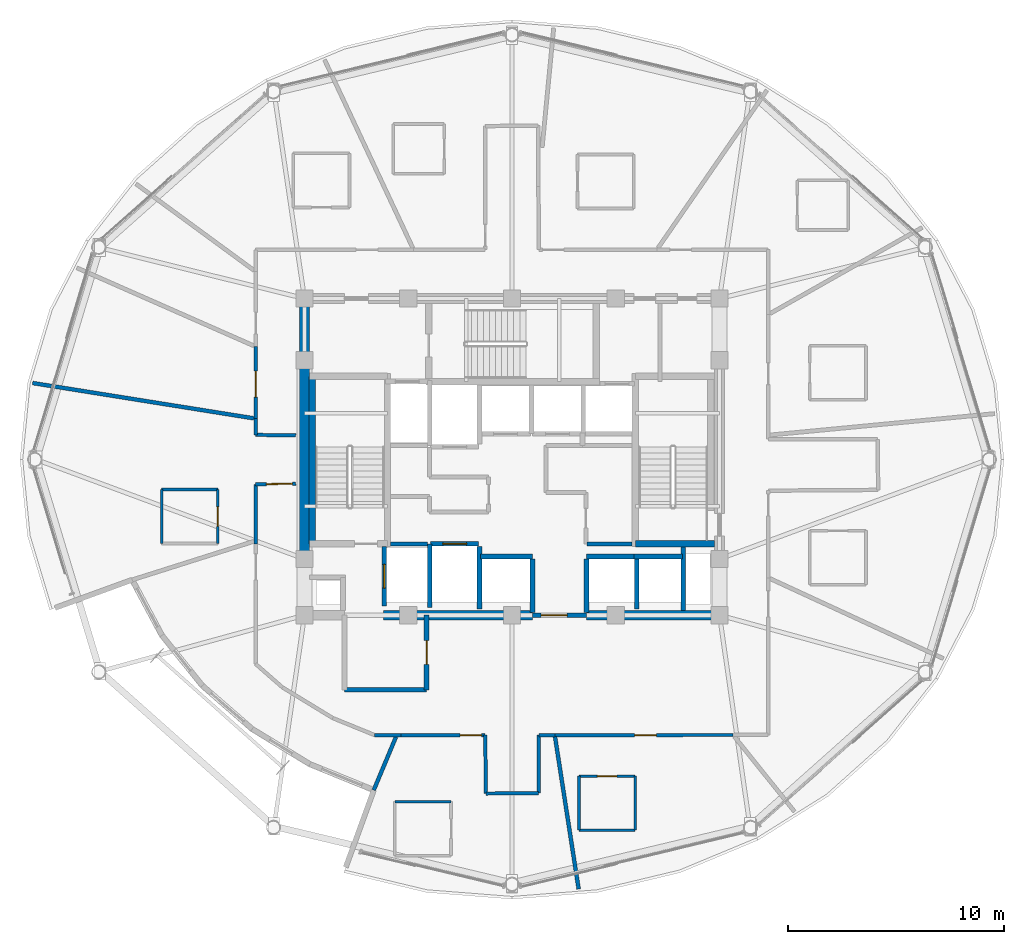
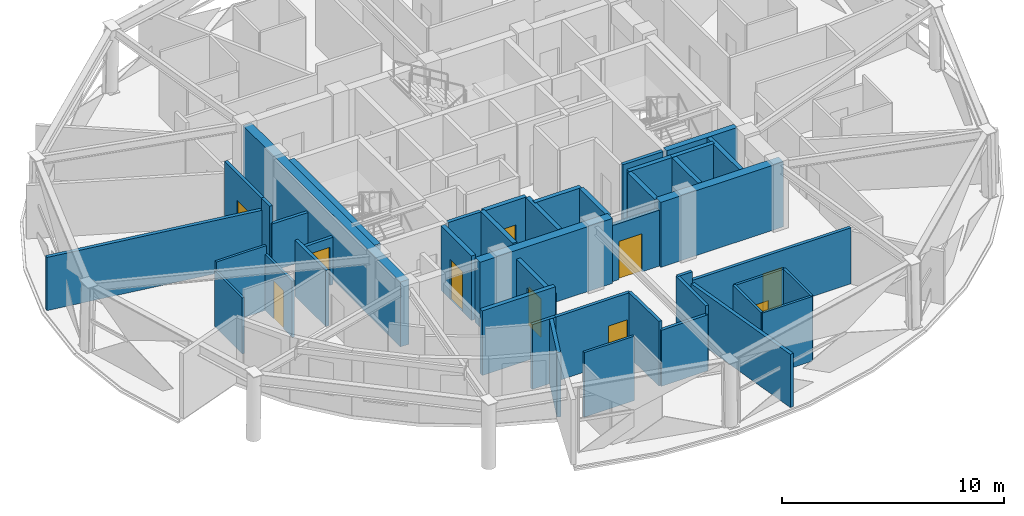
# One storey, part 11 of 18: 44 walls, 10 doors, 10 openings.
"""IFC4 building model written with IfcOpenShell, lengths in metres."""

from ifc_helpers import new_model, si_unit, direction, frame, frame_2d, origin, place, context, subcontext, project, spatial, rectangle, extrude, material, layer, layer_set, type_object, element, fill, save


model = new_model("IFC4")

# Units and contexts
model_context = context("Model", 3, precision=1e-05, world=origin(), true_north=direction((0.0, 1.0)))
body_context = subcontext(model_context, "Body", "Model", "MODEL_VIEW")
ifc_project = project(units=[si_unit("LENGTHUNIT", "METRE"), si_unit("AREAUNIT", "SQUARE_METRE"), si_unit("VOLUMEUNIT", "CUBIC_METRE"), si_unit("PLANEANGLEUNIT", "RADIAN"), si_unit("MASSUNIT", "GRAM", prefix="KILO")], contexts=[model_context])

# Site, building, storey
site_placement = place(None, origin())
site = spatial("IfcSite", under=ifc_project, at=site_placement, CompositionType="ELEMENT")
building_placement = place(site_placement, origin())
building = spatial("IfcBuilding", under=site, at=building_placement, Name="Vantalir Tower", CompositionType="ELEMENT")
storey_placement = place(building_placement, frame((0.0, 0.0, 216.14990234375)))
storey = spatial("IfcBuildingStorey", under=building, at=storey_placement, Name="L54", CompositionType="ELEMENT", Elevation=216.14990234375)

# Walls
ifc_material_1 = material(Name="Moisture-resistant en-suite partition", Category="gypsum")
ifc_layer_1 = layer(ifc_material_1, 0.125)
ifc_layer_set_1 = layer_set([ifc_layer_1], Name="Moisture-resistant en-suite partition")
wall_type_1 = type_object("IfcWallType", Name="WL-BATH-125", PredefinedType="PARTITIONING", material=ifc_layer_set_1)
wall_1_placement = place(storey_placement, frame((15.291015625, 23.612060546875, 0.0), z_axis=(0.0, 0.0, 1.0), x_axis=(1.0, 0.0, 0.0)))
element("IfcWall", 1, at=wall_1_placement, inside=storey, type_object=wall_type_1, Name="L54 En-suite 08 North Wall", PredefinedType="PARTITIONING", context=body_context, shape_type="SweptSolid", body=[
    extrude(rectangle(XDim=2.60009765625, YDim=0.125, at=frame_2d((1.300048828125, 0.0))), origin(), (0.0, 0.0, 1.0), 3.550048828125),
])
wall_2_placement = place(storey_placement, frame((15.291015625, 21.112060546875, 0.0), z_axis=(0.0, 0.0, 1.0), x_axis=(0.0, 1.0, 0.0)))
element("IfcWall", 2, at=wall_2_placement, inside=storey, type_object=wall_type_1, Name="L54 En-suite 08 West Wall", PredefinedType="PARTITIONING", context=body_context, shape_type="SweptSolid", body=[
    extrude(rectangle(XDim=2.5, YDim=0.125, at=frame_2d((1.25, 0.0))), origin(), (0.0, 0.0, 1.0), 3.0810546875),
])

# Wall, opening, door
wall_3_placement = place(storey_placement, frame((17.89111328125, 21.112060546875, 0.0), z_axis=(0.0, 0.0, 1.0), x_axis=(0.0, 1.0, 0.0)))
wall_3 = element("IfcWall", 3, at=wall_3_placement, inside=storey, type_object=wall_type_1, Name="L54 En-suite 08 East Wall", PredefinedType="PARTITIONING", context=body_context, shape_type="SweptSolid", body=[
    extrude(rectangle(XDim=2.5, YDim=0.125, at=frame_2d((1.25, 0.0))), origin(), (0.0, 0.0, 1.0), 3.0810546875),
])
opening_1_placement = place(wall_3_placement, frame((0.800048828125, 0.0, 0.0)))
opening_1 = element("IfcOpeningElement", 4, at=opening_1_placement, cuts=wall_3, Name="Opening D-WC", PredefinedType="OPENING", context=body_context, shape_type="SweptSolid", body=[
    extrude(rectangle(XDim=0.89990234375, YDim=2.10009765625, at=frame_2d((0.449951171875, 1.050048828125))), frame((0.0, 0.072509765625, 0.0), z_axis=(0.0, -1.0, 0.0), x_axis=(1.0, 0.0, 0.0)), (0.0, 0.0, 1.0), 0.14501953125),
])
ifc_material_2 = material(Name="Moisture-resistant hardwood door", Category="wood")
door_type_1 = type_object("IfcDoorType", Name="DR-ENSUITE-900", OperationType="NOTDEFINED", PredefinedType="DOOR", material=ifc_material_2)
door_1_placement = place(opening_1_placement, origin())
door_1 = element("IfcDoor", 5, at=door_1_placement, inside=storey, type_object=door_type_1, Name="L54 En-suite 08 Door", OperationType="SINGLE_SWING_LEFT", OverallHeight=2.10009765625, OverallWidth=0.89990234375, PredefinedType="DOOR", context=body_context, shape_type="SweptSolid", body=[
    extrude(rectangle(XDim=0.89990234375, YDim=2.10009765625, at=frame_2d((0.449951171875, 1.050048828125))), frame((0.0, 0.02490234375, 0.0), z_axis=(0.0, -1.0, 0.0), x_axis=(1.0, 0.0, 0.0)), (0.0, 0.0, 1.0), 0.050048828125),
])
fill(opening_1, door_1)

# Walls
for number, where, z_axis, x_axis, name in (
    (6, (26.08203125, 9.1708984375, 0.0), (0.0, 0.0, 1.0), (1.0, 0.0, 0.0), "L54 En-suite 10 North Wall"),
    (7, (34.59912109375, 7.85498046875, 0.0), (0.0, 0.0, 1.0), (1.0, 0.0, 0.0), "L54 En-suite 11 South Wall"),
):
    element("IfcWall", number, at=place(storey_placement, frame(where, z_axis=z_axis, x_axis=x_axis)), inside=storey, type_object=wall_type_1, Name=name, PredefinedType="PARTITIONING", context=body_context, shape_type="SweptSolid", body=[
        extrude(rectangle(XDim=2.599853515625, YDim=0.125, at=frame_2d((1.2998046875, 0.0))), origin(), (0.0, 0.0, 1.0), 3.550048828125),
    ])

# Wall, opening, door
wall_4_placement = place(storey_placement, frame((34.59912109375, 10.35498046875, 0.0), z_axis=(0.0, 0.0, 1.0), x_axis=(1.0, 0.0, 0.0)))
wall_4 = element("IfcWall", 8, at=wall_4_placement, inside=storey, type_object=wall_type_1, Name="L54 En-suite 11 North Wall", PredefinedType="PARTITIONING", context=body_context, shape_type="SweptSolid", body=[
    extrude(rectangle(XDim=2.599853515625, YDim=0.125, at=frame_2d((1.2998046875, 0.0))), origin(), (0.0, 0.0, 1.0), 3.550048828125),
])
opening_2_placement = place(wall_4_placement, frame((0.85009765625, 0.0, 0.0)))
opening_2 = element("IfcOpeningElement", 9, at=opening_2_placement, cuts=wall_4, Name="Opening D-WC", PredefinedType="OPENING", context=body_context, shape_type="SweptSolid", body=[
    extrude(rectangle(XDim=0.89990234375, YDim=2.10009765625, at=frame_2d((0.449951171875, 1.050048828125))), frame((0.0, 0.072509765625, 0.0), z_axis=(0.0, -1.0, 0.0), x_axis=(1.0, 0.0, 0.0)), (0.0, 0.0, 1.0), 0.14501953125),
])
door_2_placement = place(opening_2_placement, frame((0.89990234375, 0.0, 0.0), z_axis=(0.0, 0.0, 1.0), x_axis=(-1.0, 0.0, 0.0)))
door_2 = element("IfcDoor", 10, at=door_2_placement, inside=storey, type_object=door_type_1, Name="L54 En-suite 11 Door", OperationType="SINGLE_SWING_RIGHT", OverallHeight=2.10009765625, OverallWidth=0.89990234375, PredefinedType="DOOR", context=body_context, shape_type="SweptSolid", body=[
    extrude(rectangle(XDim=0.89990234375, YDim=2.10009765625, at=frame_2d((0.449951171875, 1.050048828125))), frame((0.0, 0.02490234375, 0.0), z_axis=(0.0, -1.0, 0.0), x_axis=(1.0, 0.0, 0.0)), (0.0, 0.0, 1.0), 0.050048828125),
])
fill(opening_2, door_2)

# Walls
for number, where, z_axis, x_axis, name in (
    (11, (34.59912109375, 7.85498046875, 0.0), (0.0, 0.0, 1.0), (0.0, 1.0, 0.0), "L54 En-suite 11 West Wall"),
    (12, (37.198974609375, 7.85498046875, 0.0), (0.0, 0.0, 1.0), (0.0, 1.0, 0.0), "L54 En-suite 11 East Wall"),
):
    element("IfcWall", number, at=place(storey_placement, frame(where, z_axis=z_axis, x_axis=x_axis)), inside=storey, type_object=wall_type_1, Name=name, PredefinedType="PARTITIONING", context=body_context, shape_type="SweptSolid", body=[
        extrude(rectangle(XDim=2.5, YDim=0.125, at=frame_2d((1.25, 0.0))), origin(), (0.0, 0.0, 1.0), 3.550048828125),
    ])
ifc_material_3 = material(Name="Concrete C50/60", Category="concrete")
ifc_layer_2 = layer(ifc_material_3, 0.449951171875)
ifc_layer_set_2 = layer_set([ifc_layer_2], Name="Concrete C50/60")
wall_type_2 = type_object("IfcWallType", Name="WL-CORE-450", PredefinedType="SHEAR", material=ifc_layer_set_2)
wall_5_placement = place(storey_placement, frame((25.550048828125, 17.800048828125, 0.0), z_axis=(0.0, 0.0, 1.0), x_axis=(1.0, 0.0, 0.0)))
element("IfcWall", 13, at=wall_5_placement, inside=storey, type_object=wall_type_2, Name="L54 Core Shear Wall South-Mid", PredefinedType="SHEAR", context=body_context, shape_type="SweptSolid", body=[
    extrude(rectangle(XDim=6.89990234375, YDim=0.449951171875, at=frame_2d((3.449951171875, 0.0))), origin(), (0.0, 0.0, 1.0), 3.570068359375),
])
wall_6_placement = place(storey_placement, frame((34.949951171875, 17.800048828125, 0.0), z_axis=(0.0, 0.0, 1.0), x_axis=(1.0, 0.0, 0.0)))
element("IfcWall", 14, at=wall_6_placement, inside=storey, type_object=wall_type_2, Name="L54 Core Shear Wall South-East", PredefinedType="SHEAR", context=body_context, shape_type="SweptSolid", body=[
    extrude(rectangle(XDim=6.375, YDim=0.449951171875, at=frame_2d((3.1875, 0.0))), origin(), (0.0, 0.0, 1.0), 3.570068359375),
])
wall_7_placement = place(storey_placement, frame((21.89990234375, 18.02490234375, 0.0), z_axis=(0.0, 0.0, 1.0), x_axis=(0.0, 1.0, 0.0)))
element("IfcWall", 15, at=wall_7_placement, inside=storey, type_object=wall_type_2, Name="L54 Core Shear Wall West", PredefinedType="SHEAR", context=body_context, shape_type="SweptSolid", body=[
    extrude(rectangle(XDim=14.2001953125, YDim=0.449951171875, at=frame_2d((7.10009765625, 0.0))), origin(), (0.0, 0.0, 1.0), 3.570068359375),
])
ifc_material_4 = material(Name="Fire-rated hotel corridor acoustic partition", Category="gypsum")
ifc_layer_3 = layer(ifc_material_4, 0.159912109375)
ifc_layer_set_3 = layer_set([ifc_layer_3], Name="Fire-rated hotel corridor acoustic partition")
wall_type_3 = type_object("IfcWallType", Name="WL-CORR-160", PredefinedType="PARTITIONING", material=ifc_layer_set_3)
wall_8_placement = place(storey_placement, frame((21.4951171875, 26.116943359375, 0.0), z_axis=(0.0, 0.0, 1.0), x_axis=(-0.999908537082, 0.013524698532, 0.0)))
element("IfcWall", 16, at=wall_8_placement, inside=storey, type_object=wall_type_3, Name="L54 Corridor Partition 01", PredefinedType="PARTITIONING", context=body_context, shape_type="SweptSolid", body=[
    extrude(rectangle(XDim=1.859375, YDim=0.159912109375, at=frame_2d((0.9296875, 0.0))), origin(), (0.0, 0.0, 1.0), 2.59521484375),
])
wall_9_placement = place(storey_placement, frame((19.635986328125, 26.14208984375, 0.0), z_axis=(0.0, 0.0, 1.0), x_axis=(0.0, 1.0, 0.0)))
element("IfcWall", 17, at=wall_9_placement, inside=storey, type_object=wall_type_3, Name="L54 Corridor Partition 02", PredefinedType="PARTITIONING", context=body_context, shape_type="SweptSolid", body=[
    extrude(rectangle(XDim=0.751953125, YDim=0.159912109375, at=frame_2d((0.3759765625, 0.0))), origin(), (0.0, 0.0, 1.0), 3.550048828125),
])

# Wall, opening, door
wall_10_placement = place(storey_placement, frame((19.635986328125, 26.89404296875, 0.0), z_axis=(0.0, 0.0, 1.0), x_axis=(0.001172332137, 0.999999312818, 0.0)))
wall_10 = element("IfcWall", 18, at=wall_10_placement, inside=storey, type_object=wall_type_3, Name="L54 Corridor Partition 03", PredefinedType="PARTITIONING", context=body_context, shape_type="SweptSolid", body=[
    extrude(rectangle(XDim=3.33203125, YDim=0.159912109375, at=frame_2d((1.666015625, 0.0))), origin(), (0.0, 0.0, 1.0), 3.550048828125),
])
opening_3_placement = place(wall_10_placement, frame((0.99609375, 0.0, 0.0)))
opening_3 = element("IfcOpeningElement", 19, at=opening_3_placement, cuts=wall_10, Name="Opening D-STE", PredefinedType="OPENING", context=body_context, shape_type="SweptSolid", body=[
    extrude(rectangle(XDim=1.199951171875, YDim=2.10009765625, at=frame_2d((0.60009765625, 1.050048828125))), frame((0.0, 0.08984375, 0.0), z_axis=(0.0, -1.0, 0.0), x_axis=(1.0, 0.0, 0.0)), (0.0, 0.0, 1.0), 0.179931640625),
])
ifc_material_5 = material(Name="Solid-core teak veneer suite entrance door", Category="wood")
door_type_2 = type_object("IfcDoorType", Name="DR-SUITE-ENTRY-1200", OperationType="NOTDEFINED", PredefinedType="DOOR", material=ifc_material_5)
door_3_placement = place(opening_3_placement, origin())
door_3 = element("IfcDoor", 20, at=door_3_placement, inside=storey, type_object=door_type_2, Name="L54 Club Reading Lounge 07 Door", OperationType="SINGLE_SWING_RIGHT", OverallHeight=2.10009765625, OverallWidth=1.199951171875, PredefinedType="DOOR", context=body_context, shape_type="SweptSolid", body=[
    extrude(rectangle(XDim=1.199951171875, YDim=2.10009765625, at=frame_2d((0.60009765625, 1.050048828125))), frame((0.0, 0.02490234375, 0.0), z_axis=(0.0, -1.0, 0.0), x_axis=(1.0, 0.0, 0.0)), (0.0, 0.0, 1.0), 0.050048828125),
])
fill(opening_3, door_3)

wall_11_placement = place(storey_placement, frame((41.72509765625, 12.258056640625, 0.0), z_axis=(0.0, 0.0, 1.0), x_axis=(-0.999999631405, -0.000858597504, 0.0)))
wall_11 = element("IfcWall", 21, at=wall_11_placement, inside=storey, type_object=wall_type_3, Name="L54 Corridor Partition 22", PredefinedType="PARTITIONING", context=body_context, shape_type="SweptSolid", body=[
    extrude(rectangle(XDim=8.24609375, YDim=0.159912109375, at=frame_2d((4.123046875, 0.0))), origin(), (0.0, 0.0, 1.0), 3.0810546875),
])
opening_4_placement = place(wall_11_placement, frame((3.549072265625, 0.0, 0.0)))
opening_4 = element("IfcOpeningElement", 22, at=opening_4_placement, cuts=wall_11, Name="Opening D-GUEST", PredefinedType="OPENING", context=body_context, shape_type="SweptSolid", body=[
    extrude(rectangle(XDim=1.0, YDim=2.10009765625, at=frame_2d((0.5, 1.050048828125))), frame((0.0, 0.08984375, 0.0), z_axis=(0.0, -1.0, 0.0), x_axis=(1.0, 0.0, 0.0)), (0.0, 0.0, 1.0), 0.179931640625),
])
ifc_material_6 = material(Name="Solid-core teak veneer acoustic fire door", Category="wood")
door_type_3 = type_object("IfcDoorType", Name="DR-GUEST-ENTRY-1000", OperationType="NOTDEFINED", PredefinedType="DOOR", material=ifc_material_6)
door_4_placement = place(opening_4_placement, origin())
door_4 = element("IfcDoor", 23, at=door_4_placement, inside=storey, type_object=door_type_3, Name="L54 Twin Queen Hotel Room 11 Door", OperationType="SINGLE_SWING_RIGHT", OverallHeight=2.10009765625, OverallWidth=1.0, PredefinedType="DOOR", context=body_context, shape_type="SweptSolid", body=[
    extrude(rectangle(XDim=1.0, YDim=2.10009765625, at=frame_2d((0.5, 1.050048828125))), frame((0.0, 0.02490234375, 0.0), z_axis=(0.0, -1.0, 0.0), x_axis=(1.0, 0.0, 0.0)), (0.0, 0.0, 1.0), 0.050048828125),
])
fill(opening_4, door_4)

# Walls
wall_12_placement = place(storey_placement, frame((33.47900390625, 12.2509765625, 0.0), z_axis=(0.0, 0.0, 1.0), x_axis=(-0.999999126899, -0.001321439216, 0.0)))
element("IfcWall", 24, at=wall_12_placement, inside=storey, type_object=wall_type_3, Name="L54 Corridor Partition 23", PredefinedType="PARTITIONING", context=body_context, shape_type="SweptSolid", body=[
    extrude(rectangle(XDim=0.739013671875, YDim=0.159912109375, at=frame_2d((0.36962890625, 0.0))), origin(), (0.0, 0.0, 1.0), 3.550048828125),
])
wall_13_placement = place(storey_placement, frame((32.739990234375, 12.25, 0.0), z_axis=(0.0, 0.0, 1.0), x_axis=(-0.003363005887, -0.99999434508, 0.0)))
element("IfcWall", 25, at=wall_13_placement, inside=storey, type_object=wall_type_3, Name="L54 Corridor Partition 24", PredefinedType="PARTITIONING", context=body_context, shape_type="SweptSolid", body=[
    extrude(rectangle(XDim=2.68603515625, YDim=0.159912109375, at=frame_2d((1.343017578125, 0.0))), origin(), (0.0, 0.0, 1.0), 3.550048828125),
])
wall_14_placement = place(storey_placement, frame((32.73095703125, 9.56396484375, 0.0), z_axis=(0.0, 0.0, 1.0), x_axis=(-0.9999812984, -0.006115786966, 0.0)))
element("IfcWall", 26, at=wall_14_placement, inside=storey, type_object=wall_type_3, Name="L54 Corridor Partition 25", PredefinedType="PARTITIONING", context=body_context, shape_type="SweptSolid", body=[
    extrude(rectangle(XDim=2.43505859375, YDim=0.159912109375, at=frame_2d((1.217529296875, 0.0))), origin(), (0.0, 0.0, 1.0), 3.0810546875),
])
wall_15_placement = place(storey_placement, frame((30.2958984375, 9.549072265625, 0.0), z_axis=(0.0, 0.0, 1.0), x_axis=(-0.013286362168, 0.999911732395, 0.0)))
element("IfcWall", 27, at=wall_15_placement, inside=storey, type_object=wall_type_3, Name="L54 Corridor Partition 26", PredefinedType="PARTITIONING", context=body_context, shape_type="SweptSolid", body=[
    extrude(rectangle(XDim=2.701171875, YDim=0.159912109375, at=frame_2d((1.3505859375, 0.0))), origin(), (0.0, 0.0, 1.0), 3.550048828125),
])

# Wall, opening, door
wall_16_placement = place(storey_placement, frame((30.260009765625, 12.25, 0.0), z_axis=(0.0, 0.0, 1.0), x_axis=(-0.999999968407, 0.000251366799, 0.0)))
wall_16 = element("IfcWall", 28, at=wall_16_placement, inside=storey, type_object=wall_type_3, Name="L54 Corridor Partition 27", PredefinedType="PARTITIONING", context=body_context, shape_type="SweptSolid", body=[
    extrude(rectangle(XDim=3.885009765625, YDim=0.159912109375, at=frame_2d((1.9423828125, 0.0))), origin(), (0.0, 0.0, 1.0), 3.550048828125),
])
opening_5_placement = place(wall_16_placement, frame((0.159912109375, 0.0, 0.0)))
opening_5 = element("IfcOpeningElement", 29, at=opening_5_placement, cuts=wall_16, Name="Opening D-GUEST", PredefinedType="OPENING", context=body_context, shape_type="SweptSolid", body=[
    extrude(rectangle(XDim=1.0, YDim=2.10009765625, at=frame_2d((0.5, 1.050048828125))), frame((0.0, 0.08984375, 0.0), z_axis=(0.0, -1.0, 0.0), x_axis=(1.0, 0.0, 0.0)), (0.0, 0.0, 1.0), 0.179931640625),
])
door_5_placement = place(opening_5_placement, origin())
door_5 = element("IfcDoor", 30, at=door_5_placement, inside=storey, type_object=door_type_3, Name="L54 Deluxe King Hotel Room 10 Door", OperationType="SINGLE_SWING_LEFT", OverallHeight=2.10009765625, OverallWidth=1.0, PredefinedType="DOOR", context=body_context, shape_type="SweptSolid", body=[
    extrude(rectangle(XDim=1.0, YDim=2.10009765625, at=frame_2d((0.5, 1.050048828125))), frame((0.0, 0.02490234375, 0.0), z_axis=(0.0, -1.0, 0.0), x_axis=(1.0, 0.0, 0.0)), (0.0, 0.0, 1.0), 0.050048828125),
])
fill(opening_5, door_5)

# Walls
wall_17_placement = place(storey_placement, frame((26.375, 12.2509765625, 0.0), z_axis=(0.0, 0.0, 1.0), x_axis=(-0.999999683806, 0.000795228377, 0.0)))
element("IfcWall", 31, at=wall_17_placement, inside=storey, type_object=wall_type_3, Name="L54 Corridor Partition 28", PredefinedType="PARTITIONING", context=body_context, shape_type="SweptSolid", body=[
    extrude(rectangle(XDim=1.22802734375, YDim=0.159912109375, at=frame_2d((0.614013671875, 0.0))), origin(), (0.0, 0.0, 1.0), 3.550048828125),
])
wall_18_placement = place(storey_placement, frame((19.636962890625, 21.091064453125, 0.0), z_axis=(0.0, 0.0, 1.0), x_axis=(-0.000352951535, 0.999999937713, 0.0)))
element("IfcWall", 32, at=wall_18_placement, inside=storey, type_object=wall_type_3, Name="L54 Corridor Partition 33", PredefinedType="PARTITIONING", context=body_context, shape_type="SweptSolid", body=[
    extrude(rectangle(XDim=2.766845703125, YDim=0.159912109375, at=frame_2d((1.38330078125, 0.0))), origin(), (0.0, 0.0, 1.0), 3.0810546875),
])

# Wall, opening, door
wall_19_placement = place(storey_placement, frame((19.635986328125, 23.85791015625, 0.0), z_axis=(0.0, 0.0, 1.0), x_axis=(0.999915502175, 0.012999558072, 0.0)))
wall_19 = element("IfcWall", 33, at=wall_19_placement, inside=storey, type_object=wall_type_3, Name="L54 Corridor Partition 34", PredefinedType="PARTITIONING", context=body_context, shape_type="SweptSolid", body=[
    extrude(rectangle(XDim=1.859375, YDim=0.159912109375, at=frame_2d((0.9296875, 0.0))), origin(), (0.0, 0.0, 1.0), 2.59521484375),
])
opening_6_placement = place(wall_19_placement, frame((0.4990234375, 0.0, 0.0)))
opening_6 = element("IfcOpeningElement", 34, at=opening_6_placement, cuts=wall_19, Name="Opening D-STE", PredefinedType="OPENING", context=body_context, shape_type="SweptSolid", body=[
    extrude(rectangle(XDim=1.199951171875, YDim=2.10009765625, at=frame_2d((0.60009765625, 1.050048828125))), frame((0.0, 0.08984375, 0.0), z_axis=(0.0, -1.0, 0.0), x_axis=(1.0, 0.0, 0.0)), (0.0, 0.0, 1.0), 0.179931640625),
])
door_6_placement = place(opening_6_placement, origin())
door_6 = element("IfcDoor", 35, at=door_6_placement, inside=storey, type_object=door_type_2, Name="L54 Corner Panorama Hotel Suite 08 Door", OperationType="SINGLE_SWING_LEFT", OverallHeight=2.10009765625, OverallWidth=1.199951171875, PredefinedType="DOOR", context=body_context, shape_type="SweptSolid", body=[
    extrude(rectangle(XDim=1.199951171875, YDim=2.10009765625, at=frame_2d((0.60009765625, 1.050048828125))), frame((0.0, 0.02490234375, 0.0), z_axis=(0.0, -1.0, 0.0), x_axis=(1.0, 0.0, 0.0)), (0.0, 0.0, 1.0), 0.050048828125),
])
fill(opening_6, door_6)

# Walls
ifc_material_7 = material(Name="Concrete blockwork with fireboard lining", Category="masonry")
ifc_layer_4 = layer(ifc_material_7, 0.219970703125)
ifc_layer_set_4 = layer_set([ifc_layer_4], Name="Concrete blockwork with fireboard lining")
wall_type_4 = type_object("IfcWallType", Name="WL-FFL-220", PredefinedType="PARTITIONING", material=ifc_layer_set_4)
wall_20_placement = place(storey_placement, frame((30.0, 18.080078125, 0.0), z_axis=(0.0, 0.0, 1.0), x_axis=(0.0, 1.0, 0.0)))
element("IfcWall", 36, at=wall_20_placement, inside=storey, type_object=wall_type_4, Name="L54 Service Lift SV1 East Shaft Wall", PredefinedType="PARTITIONING", context=body_context, shape_type="SweptSolid", body=[
    extrude(rectangle(XDim=2.89990234375, YDim=0.219970703125, at=frame_2d((1.449951171875, 0.0))), origin(), (0.0, 0.0, 1.0), 3.545166015625),
])
for number, where, z_axis, x_axis, name in (
    (37, (32.449951171875, 17.919921875, 0.0), (0.0, 0.0, 1.0), (0.0, 1.0, 0.0), "L54 Shuttle Lift PL-X1 East Shaft Cheek"),
    (38, (34.949951171875, 17.919921875, 0.0), (0.0, 0.0, 1.0), (0.0, 1.0, 0.0), "L54 Shuttle Lift PL-X3 West Shaft Cheek"),
):
    element("IfcWall", number, at=place(storey_placement, frame(where, z_axis=z_axis, x_axis=x_axis)), inside=storey, type_object=wall_type_4, Name=name, PredefinedType="PARTITIONING", context=body_context, shape_type="SweptSolid", body=[
        extrude(rectangle(XDim=2.469970703125, YDim=0.219970703125, at=frame_2d((1.23486328125, 0.0))), origin(), (0.0, 0.0, 1.0), 3.545166015625),
    ])
wall_21_placement = place(storey_placement, frame((37.27490234375, 18.080078125, 0.0), z_axis=(0.0, 0.0, 1.0), x_axis=(0.0, 1.0, 0.0)))
element("IfcWall", 39, at=wall_21_placement, inside=storey, type_object=wall_type_4, Name="L54 Shuttle Lift PL-X2/X3 Shaft Divider", PredefinedType="PARTITIONING", context=body_context, shape_type="SweptSolid", body=[
    extrude(rectangle(XDim=2.309814453125, YDim=0.219970703125, at=frame_2d((1.15478515625, 0.0))), origin(), (0.0, 0.0, 1.0), 3.545166015625),
])

# Wall, opening, door
wall_22_placement = place(storey_placement, frame((32.449951171875, 17.800048828125, 0.0), z_axis=(0.0, 0.0, 1.0), x_axis=(1.0, 0.0, 0.0)))
wall_22 = element("IfcWall", 40, at=wall_22_placement, inside=storey, type_object=wall_type_4, Name="L54 Passenger Lift Lobby South Wall", PredefinedType="PARTITIONING", context=body_context, shape_type="SweptSolid", body=[
    extrude(rectangle(XDim=2.5, YDim=0.219970703125, at=frame_2d((1.25, 0.0))), origin(), (0.0, 0.0, 1.0), 3.0810546875),
])
opening_7_placement = place(wall_22_placement, frame((0.39990234375, 0.0, 0.0)))
opening_7 = element("IfcOpeningElement", 41, at=opening_7_placement, cuts=wall_22, Name="Opening D-STE", PredefinedType="OPENING", context=body_context, shape_type="SweptSolid", body=[
    extrude(rectangle(XDim=1.199951171875, YDim=2.10009765625, at=frame_2d((0.60009765625, 1.050048828125))), frame((0.0, 0.119873046875, 0.0), z_axis=(0.0, -1.0, 0.0), x_axis=(1.0, 0.0, 0.0)), (0.0, 0.0, 1.0), 0.239990234375),
])
door_7_placement = place(opening_7_placement, origin())
door_7 = element("IfcDoor", 42, at=door_7_placement, inside=storey, type_object=door_type_2, Name="L54 Passenger Lift Lobby Concourse Door", OperationType="SINGLE_SWING_LEFT", OverallHeight=2.10009765625, OverallWidth=1.199951171875, PredefinedType="DOOR", context=body_context, shape_type="SweptSolid", body=[
    extrude(rectangle(XDim=1.199951171875, YDim=2.10009765625, at=frame_2d((0.60009765625, 1.050048828125))), frame((0.0, 0.02490234375, 0.0), z_axis=(0.0, -1.0, 0.0), x_axis=(1.0, 0.0, 0.0)), (0.0, 0.0, 1.0), 0.050048828125),
])
fill(opening_7, door_7)

# Wall
wall_23_placement = place(storey_placement, frame((39.419921875, 18.02490234375, 0.0), z_axis=(0.0, 0.0, 1.0), x_axis=(0.0, 1.0, 0.0)))
element("IfcWall", 43, at=wall_23_placement, inside=storey, type_object=wall_type_4, Name="L54 East MEP Riser Wall W", PredefinedType="PARTITIONING", context=body_context, shape_type="SweptSolid", body=[
    extrude(rectangle(XDim=2.925048828125, YDim=0.219970703125, at=frame_2d((1.46240234375, 0.0))), origin(), (0.0, 0.0, 1.0), 3.550048828125),
])

# Wall, opening, door
wall_24_placement = place(storey_placement, frame((25.590087890625, 18.219970703125, 0.0), z_axis=(0.0, 0.0, 1.0), x_axis=(0.0, 1.0, 0.0)))
wall_24 = element("IfcWall", 44, at=wall_24_placement, inside=storey, type_object=wall_type_4, Name="L54 Lift FL1 Shaft Front Wall", PredefinedType="PARTITIONING", context=body_context, shape_type="SweptSolid", body=[
    extrude(rectangle(XDim=2.760009765625, YDim=0.219970703125, at=frame_2d((1.3798828125, 0.0))), origin(), (0.0, 0.0, 1.0), 3.550048828125),
])
opening_8_placement = place(wall_24_placement, frame((0.830078125, 0.0, 0.0)))
opening_8 = element("IfcOpeningElement", 45, at=opening_8_placement, cuts=wall_24, Name="Opening LD-FL1", PredefinedType="OPENING", context=body_context, shape_type="SweptSolid", body=[
    extrude(rectangle(XDim=1.10009765625, YDim=2.199951171875, at=frame_2d((0.550048828125, 1.10009765625))), frame((0.0, 0.119873046875, 0.0), z_axis=(0.0, -1.0, 0.0), x_axis=(1.0, 0.0, 0.0)), (0.0, 0.0, 1.0), 0.239990234375),
])
ifc_material_8 = material(Name="Brushed stainless-steel sliding lift landing door", Category="steel")
door_type_4 = type_object("IfcDoorType", Name="DR-LIFT-LANDING-1100", OperationType="DOUBLE_DOOR_SLIDING", PredefinedType="DOOR", material=ifc_material_8)
door_8_placement = place(opening_8_placement, origin())
door_8 = element("IfcDoor", 46, at=door_8_placement, inside=storey, type_object=door_type_4, Name="L54 Lift Landing Door FL1", OperationType="DOUBLE_DOOR_SLIDING", OverallHeight=2.199951171875, OverallWidth=1.10009765625, PredefinedType="DOOR", context=body_context, shape_type="SweptSolid", body=[
    extrude(rectangle(XDim=1.10009765625, YDim=2.199951171875, at=frame_2d((0.550048828125, 1.10009765625))), frame((0.0, 0.02490234375, 0.0), z_axis=(0.0, -1.0, 0.0), x_axis=(1.0, 0.0, 0.0)), (0.0, 0.0, 1.0), 0.050048828125),
])
fill(opening_8, door_8)

wall_25_placement = place(storey_placement, frame((27.739990234375, 21.110107421875, 0.0), z_axis=(0.0, 0.0, 1.0), x_axis=(1.0, 0.0, 0.0)))
wall_25 = element("IfcWall", 47, at=wall_25_placement, inside=storey, type_object=wall_type_4, Name="L54 Lift SV1 Shaft Front Wall", PredefinedType="PARTITIONING", context=body_context, shape_type="SweptSolid", body=[
    extrude(rectangle(XDim=2.219970703125, YDim=0.219970703125, at=frame_2d((1.10986328125, 0.0))), origin(), (0.0, 0.0, 1.0), 3.550048828125),
])
opening_9_placement = place(wall_25_placement, frame((0.56005859375, 0.0, 0.0)))
opening_9 = element("IfcOpeningElement", 48, at=opening_9_placement, cuts=wall_25, Name="Opening LD-SV1", PredefinedType="OPENING", context=body_context, shape_type="SweptSolid", body=[
    extrude(rectangle(XDim=1.10009765625, YDim=2.199951171875, at=frame_2d((0.550048828125, 1.10009765625))), frame((0.0, 0.119873046875, 0.0), z_axis=(0.0, -1.0, 0.0), x_axis=(1.0, 0.0, 0.0)), (0.0, 0.0, 1.0), 0.239990234375),
])
door_9_placement = place(opening_9_placement, origin())
door_9 = element("IfcDoor", 49, at=door_9_placement, inside=storey, type_object=door_type_4, Name="L54 Lift Landing Door SV1", OperationType="DOUBLE_DOOR_SLIDING", OverallHeight=2.199951171875, OverallWidth=1.10009765625, PredefinedType="DOOR", context=body_context, shape_type="SweptSolid", body=[
    extrude(rectangle(XDim=1.10009765625, YDim=2.199951171875, at=frame_2d((0.550048828125, 1.10009765625))), frame((0.0, 0.02490234375, 0.0), z_axis=(0.0, -1.0, 0.0), x_axis=(1.0, 0.0, 0.0)), (0.0, 0.0, 1.0), 0.050048828125),
])
fill(opening_9, door_9)

# Walls
wall_26_placement = place(storey_placement, frame((30.0400390625, 20.510009765625, 0.0), z_axis=(0.0, 0.0, 1.0), x_axis=(1.0, 0.0, 0.0)))
element("IfcWall", 50, at=wall_26_placement, inside=storey, type_object=wall_type_4, Name="L54 Lift PL-X1 Shaft Front Wall", PredefinedType="PARTITIONING", context=body_context, shape_type="SweptSolid", body=[
    extrude(rectangle(XDim=2.419921875, YDim=0.219970703125, at=frame_2d((1.2099609375, 0.0))), origin(), (0.0, 0.0, 1.0), 3.550048828125),
])
for number, where, z_axis, x_axis, name in (
    (51, (37.139892578125, 20.510009765625, 0.0), (0.0, 0.0, 1.0), (1.0, 0.0, 0.0), "L54 Lift PL-X2 Shaft Rear Wall"),
    (52, (34.93994140625, 20.510009765625, 0.0), (0.0, 0.0, 1.0), (1.0, 0.0, 0.0), "L54 Lift PL-X3 Shaft Front Wall"),
):
    element("IfcWall", number, at=place(storey_placement, frame(where, z_axis=z_axis, x_axis=x_axis)), inside=storey, type_object=wall_type_4, Name=name, PredefinedType="PARTITIONING", context=body_context, shape_type="SweptSolid", body=[
        extrude(rectangle(XDim=2.239990234375, YDim=0.219970703125, at=frame_2d((1.1201171875, 0.0))), origin(), (0.0, 0.0, 1.0), 3.550048828125),
    ])
wall_27_placement = place(storey_placement, frame((27.699951171875, 18.14990234375, 0.0), z_axis=(0.0, 0.0, 1.0), x_axis=(0.0, 1.0, 0.0)))
element("IfcWall", 53, at=wall_27_placement, inside=storey, type_object=wall_type_4, Name="L54 Fire Lift FL1 Dividing Wall", PredefinedType="PARTITIONING", context=body_context, shape_type="SweptSolid", body=[
    extrude(rectangle(XDim=2.9501953125, YDim=0.219970703125, at=frame_2d((1.47509765625, 0.0))), origin(), (0.0, 0.0, 1.0), 3.550048828125),
])
wall_28_placement = place(storey_placement, frame((23.75, 14.35009765625, 0.0), z_axis=(0.0, 0.0, 1.0), x_axis=(1.0, 0.0, 0.0)))
element("IfcWall", 54, at=wall_28_placement, inside=storey, type_object=wall_type_4, Name="L54 Firefighting Lobby West South Wall", PredefinedType="PARTITIONING", context=body_context, shape_type="SweptSolid", body=[
    extrude(rectangle(XDim=3.800048828125, YDim=0.219970703125, at=frame_2d((1.89990234375, 0.0))), origin(), (0.0, 0.0, 1.0), 3.550048828125),
])

# Wall, opening, door
wall_29_placement = place(storey_placement, frame((27.550048828125, 14.35009765625, 0.0), z_axis=(0.0, 0.0, 1.0), x_axis=(0.0, 1.0, 0.0)))
wall_29 = element("IfcWall", 55, at=wall_29_placement, inside=storey, type_object=wall_type_4, Name="L54 Firefighting Lobby West East Wall", PredefinedType="PARTITIONING", context=body_context, shape_type="SweptSolid", body=[
    extrude(rectangle(XDim=3.449951171875, YDim=0.219970703125, at=frame_2d((1.72509765625, 0.0))), origin(), (0.0, 0.0, 1.0), 3.0810546875),
])
opening_10_placement = place(wall_29_placement, frame((1.175048828125, 0.0, 0.0)))
opening_10 = element("IfcOpeningElement", 56, at=opening_10_placement, cuts=wall_29, Name="Opening D-FFL", PredefinedType="OPENING", context=body_context, shape_type="SweptSolid", body=[
    extrude(rectangle(XDim=1.10009765625, YDim=2.10009765625, at=frame_2d((0.550048828125, 1.050048828125))), frame((0.0, 0.119873046875, 0.0), z_axis=(0.0, -1.0, 0.0), x_axis=(1.0, 0.0, 0.0)), (0.0, 0.0, 1.0), 0.239990234375),
])
ifc_material_9 = material(Name="Fire-rated acoustic steel door", Category="steel")
door_type_5 = type_object("IfcDoorType", Name="DR-FIRE-LOBBY-1100", OperationType="NOTDEFINED", PredefinedType="DOOR", material=ifc_material_9)
door_10_placement = place(opening_10_placement, origin())
door_10 = element("IfcDoor", 57, at=door_10_placement, inside=storey, type_object=door_type_5, Name="L54 Firefighting Lobby West Access Door", OperationType="SINGLE_SWING_LEFT", OverallHeight=2.10009765625, OverallWidth=1.10009765625, PredefinedType="DOOR", context=body_context, shape_type="SweptSolid", body=[
    extrude(rectangle(XDim=1.10009765625, YDim=2.10009765625, at=frame_2d((0.550048828125, 1.050048828125))), frame((0.0, 0.02490234375, 0.0), z_axis=(0.0, -1.0, 0.0), x_axis=(1.0, 0.0, 0.0)), (0.0, 0.0, 1.0), 0.050048828125),
])
fill(opening_10, door_10)

# Walls
ifc_material_10 = material(Name="Twin-stud acoustic fire-rated gypsum partition", Category="gypsum")
ifc_layer_5 = layer(ifc_material_10, 0.179931640625)
ifc_layer_set_5 = layer_set([ifc_layer_5], Name="Twin-stud acoustic fire-rated gypsum partition")
wall_type_5 = type_object("IfcWallType", Name="WL-GUEST-180", PredefinedType="PARTITIONING", material=ifc_layer_set_5)
wall_30_placement = place(storey_placement, frame((25.889892578125, 21.10009765625, 0.0), z_axis=(0.0, 0.0, 1.0), x_axis=(1.0, 0.0, 0.0)))
element("IfcWall", 58, at=wall_30_placement, inside=storey, type_object=wall_type_5, Name="L54 Freed West Core South Wall", PredefinedType="PARTITIONING", context=body_context, shape_type="SweptSolid", body=[
    extrude(rectangle(XDim=1.7001953125, YDim=0.179931640625, at=frame_2d((0.85009765625, 0.0))), origin(), (0.0, 0.0, 1.0), 3.550048828125),
])
wall_31_placement = place(storey_placement, frame((34.97998046875, 21.10009765625, 0.0), z_axis=(0.0, 0.0, 1.0), x_axis=(1.0, 0.0, 0.0)))
element("IfcWall", 59, at=wall_31_placement, inside=storey, type_object=wall_type_5, Name="L54 Freed East Core South Wall", PredefinedType="PARTITIONING", context=body_context, shape_type="SweptSolid", body=[
    extrude(rectangle(XDim=2.080078125, YDim=0.179931640625, at=frame_2d((1.0400390625, 0.0))), origin(), (0.0, 0.0, 1.0), 3.550048828125),
])
wall_32_placement = place(storey_placement, frame((19.56005859375, 26.906005859375, 0.0), z_axis=(0.0, 0.0, 1.0), x_axis=(-0.987489219608, 0.157686528141, 0.0)))
element("IfcWall", 60, at=wall_32_placement, inside=storey, type_object=wall_type_5, Name="L54 Radial Suite Partition 08", PredefinedType="PARTITIONING", context=body_context, shape_type="SweptSolid", body=[
    extrude(rectangle(XDim=10.36865234375, YDim=0.179931640625, at=frame_2d((5.184326171875, 0.0))), origin(), (0.0, 0.0, 1.0), 2.925048828125),
])
wall_33_placement = place(storey_placement, frame((26.135986328125, 12.175048828125, 0.0), z_axis=(0.0, 0.0, 1.0), x_axis=(-0.385854205699, -0.922559771475, 0.0)))
element("IfcWall", 61, at=wall_33_placement, inside=storey, type_object=wall_type_5, Name="L54 Radial Suite Partition 10", PredefinedType="PARTITIONING", context=body_context, shape_type="SweptSolid", body=[
    extrude(rectangle(XDim=2.672119140625, YDim=0.179931640625, at=frame_2d((1.3359375, 0.0))), origin(), (0.0, 0.0, 1.0), 3.550048828125),
])
wall_34_placement = place(storey_placement, frame((33.490966796875, 12.175048828125, 0.0), z_axis=(0.0, 0.0, 1.0), x_axis=(0.153310232807, -0.988178107689, 0.0)))
element("IfcWall", 62, at=wall_34_placement, inside=storey, type_object=wall_type_5, Name="L54 Radial Suite Partition 11", PredefinedType="PARTITIONING", context=body_context, shape_type="SweptSolid", body=[
    extrude(rectangle(XDim=7.12939453125, YDim=0.179931640625, at=frame_2d((3.564697265625, 0.0))), origin(), (0.0, 0.0, 1.0), 2.925048828125),
])
ifc_layer_6 = layer(ifc_material_3, 0.300048828125)
ifc_layer_set_6 = layer_set([ifc_layer_6], Name="Concrete C50/60")
wall_type_6 = type_object("IfcWallType", Name="WL-STAIR-300", PredefinedType="SHEAR", material=ifc_layer_set_6)
wall_35_placement = place(storey_placement, frame((22.260009765625, 21.10009765625, 0.0), z_axis=(0.0, 0.0, 1.0), x_axis=(0.0, 1.0, 0.0)))
element("IfcWall", 63, at=wall_35_placement, inside=storey, type_object=wall_type_6, Name="L54 Stair ST1 West Liner Wall", PredefinedType="SHEAR", context=body_context, shape_type="SweptSolid", body=[
    extrude(rectangle(XDim=7.75, YDim=0.300048828125, at=frame_2d((3.875, 0.0))), origin(), (0.0, 0.0, 1.0), 3.570068359375),
])
wall_36_placement = place(storey_placement, frame((37.2099609375, 21.10009765625, 0.0), z_axis=(0.0, 0.0, 1.0), x_axis=(1.0, 0.0, 0.0)))
element("IfcWall", 64, at=wall_36_placement, inside=storey, type_object=wall_type_6, Name="L54 Stair ST2 South Wall", PredefinedType="SHEAR", context=body_context, shape_type="SweptSolid", body=[
    extrude(rectangle(XDim=3.6650390625, YDim=0.300048828125, at=frame_2d((1.83251953125, 0.0))), origin(), (0.0, 0.0, 1.0), 3.570068359375),
])

save(model, "model.ifc")
